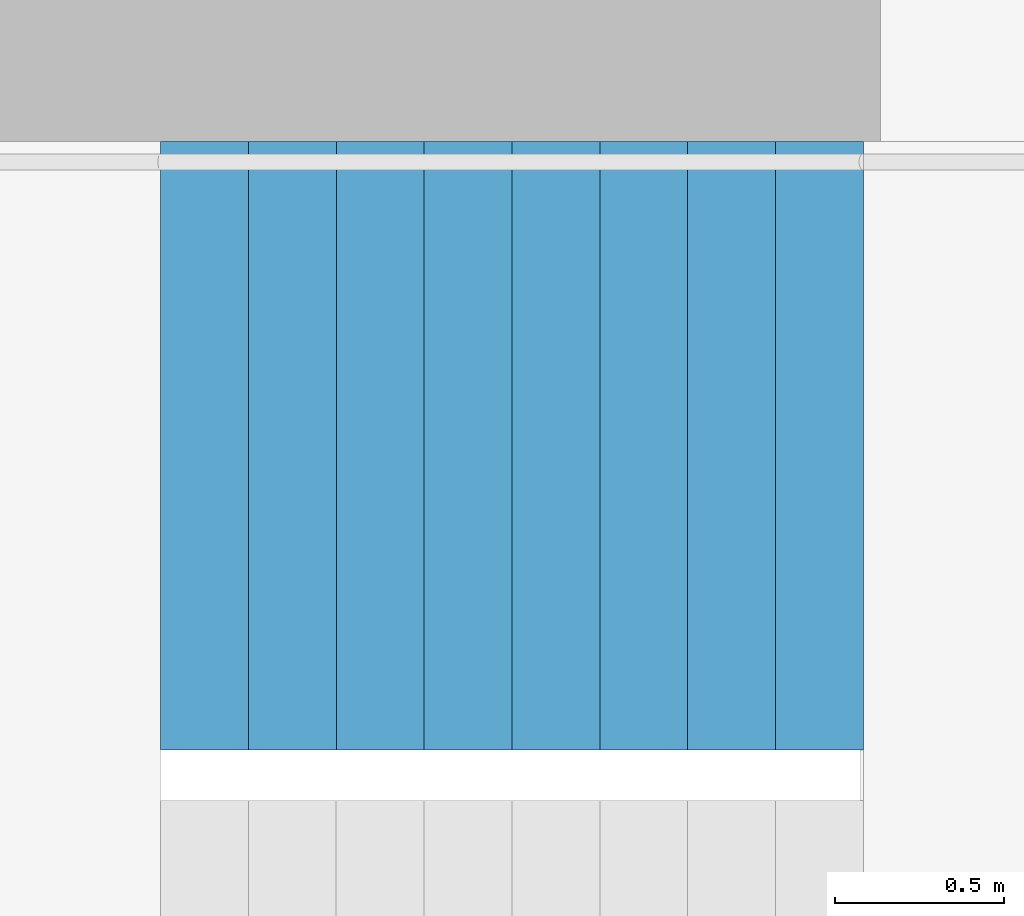
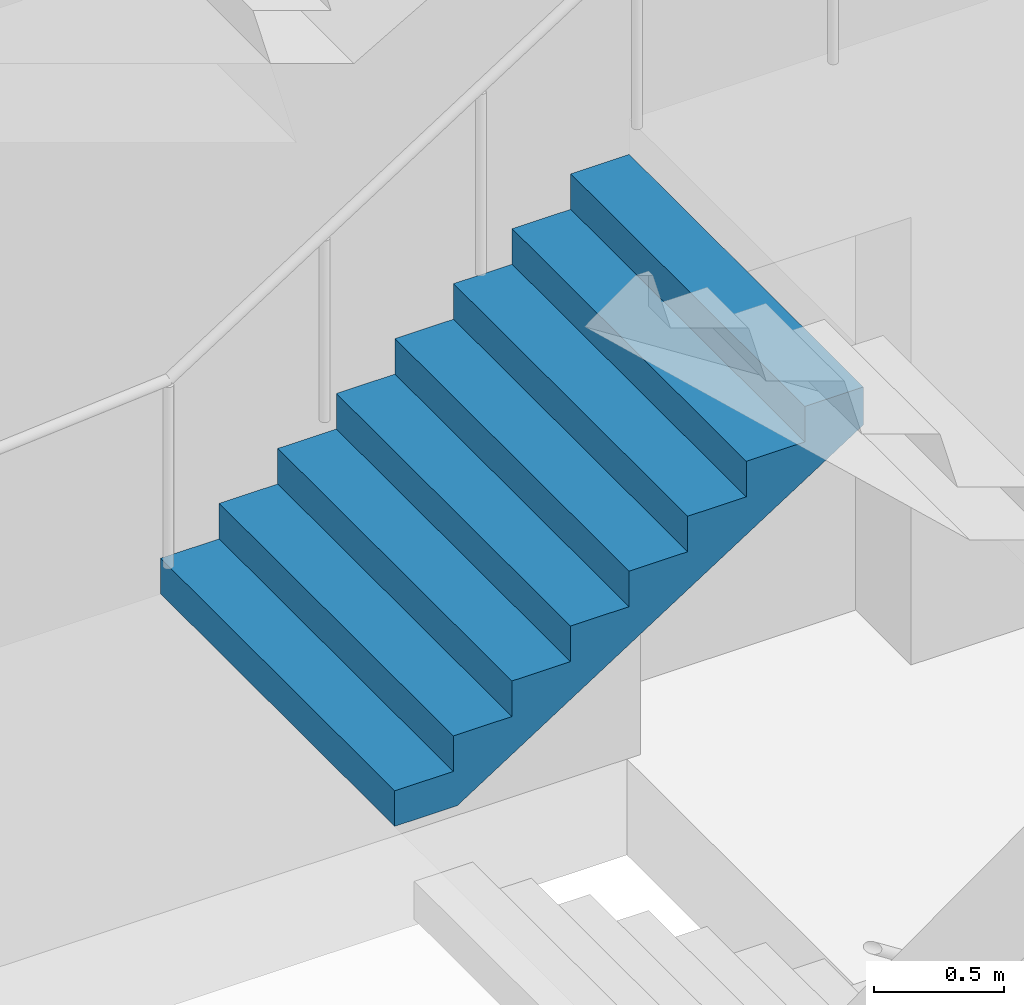
# One storey, part 32 of 35: 1 stair flight, 1 element without a shape of its own.
"""IFC4 building model written with IfcOpenShell, lengths in metres."""

from ifc_helpers import new_model, si_unit, direction, frame, origin, place, context, subcontext, project, spatial, triangles, material, type_object, element, aggregate, save


model = new_model("IFC4")

# Units and contexts
model_context = context("Model", 3, precision=1e-05, world=origin(), true_north=direction((0.0, 1.0)))
body_context = subcontext(model_context, "Body", "Model", "MODEL_VIEW")
ifc_project = project(units=[si_unit("LENGTHUNIT", "METRE"), si_unit("AREAUNIT", "SQUARE_METRE"), si_unit("VOLUMEUNIT", "CUBIC_METRE"), si_unit("PLANEANGLEUNIT", "RADIAN"), si_unit("MASSUNIT", "GRAM", prefix="KILO")], contexts=[model_context])

# Site, building, storey
site_placement = place(None, origin())
site = spatial("IfcSite", under=ifc_project, at=site_placement, CompositionType="ELEMENT")
building_placement = place(site_placement, origin())
building = spatial("IfcBuilding", under=site, at=building_placement, Name="Hakoniwa Tower and Hamabe Station Hall", CompositionType="ELEMENT")
storey_placement = place(building_placement, frame((0.0, 0.0, 264.60009765625)))
storey = spatial("IfcBuildingStorey", under=building, at=storey_placement, Name="L75", CompositionType="ELEMENT", Elevation=264.60009765625)

# Stair, stair flight
ifc_material_1 = material(Name="Concrete C40", Category="concrete")
stair_type = type_object("IfcStairType", Name="ESCAPE STAIR 1800", PredefinedType="HALF_TURN_STAIR", material=ifc_material_1)
stair_placement = place(storey_placement, origin())
stair = element("IfcStair", 1, at=stair_placement, inside=storey, type_object=stair_type, Name="Escape stair ST-3 L75", PredefinedType="HALF_TURN_STAIR")
ifc_material_2 = material(Name="Concrete C40", Category="concrete")
stair_flight_type = type_object("IfcStairFlightType", Name="STAIR FLIGHT 1800", PredefinedType="STRAIGHT", material=ifc_material_2)
stair_flight_placement = place(storey_placement, frame((22.320068359375, 6.60009765625, 1.5), z_axis=(0.0, 0.0, 1.0), x_axis=(1.0, 0.0, 0.0)))
stair_flight = element("IfcStairFlight", 2, at=stair_flight_placement, type_object=stair_flight_type, Name="ST-3 flight 2", NumberOfRisers=9, NumberOfTreads=8, PredefinedType="STRAIGHT", RiserHeight=0.166666667, TreadLength=0.26, context=body_context, shape_type="Tessellation", body=[
    triangles([(0.0, 0.89990234375, 0.0), (0.260009765625, 0.89990234375, 0.0), (0.27783203125, 0.89990234375, 0.0), (0.52001953125, 0.89990234375, 0.1552734375), (0.780029296875, 0.89990234375, 0.322021484375), (1.0400390625, 0.89990234375, 0.488525390625), (1.300048828125, 0.89990234375, 0.6552734375), (1.56005859375, 0.89990234375, 0.822021484375), (1.820068359375, 0.89990234375, 0.988525390625), (2.080078125, 0.89990234375, 1.1552734375), (2.080078125, 0.89990234375, 1.333251953125), (1.820068359375, 0.89990234375, 1.333251953125), (1.820068359375, 0.89990234375, 1.166748046875), (1.56005859375, 0.89990234375, 1.166748046875), (1.56005859375, 0.89990234375, 1.0), (1.300048828125, 0.89990234375, 1.0), (1.300048828125, 0.89990234375, 0.833251953125), (1.0400390625, 0.89990234375, 0.833251953125), (1.0400390625, 0.89990234375, 0.666748046875), (0.780029296875, 0.89990234375, 0.666748046875), (0.780029296875, 0.89990234375, 0.5), (0.52001953125, 0.89990234375, 0.5), (0.52001953125, 0.89990234375, 0.333251953125), (0.27783203125, 0.89990234375, 0.333251953125), (0.260009765625, 0.89990234375, 0.333251953125), (0.260009765625, 0.89990234375, 0.166748046875), (0.0, 0.89990234375, 0.166748046875), (0.0, 0.06005859375, 0.0), (0.260009765625, 0.06005859375, 0.0), (0.27783203125, 0.06005859375, 0.0), (0.52001953125, 0.06005859375, 0.1552734375), (0.780029296875, 0.06005859375, 0.322021484375), (1.0400390625, 0.06005859375, 0.488525390625), (1.300048828125, 0.06005859375, 0.6552734375), (1.56005859375, 0.06005859375, 0.822021484375), (1.820068359375, 0.06005859375, 0.988525390625), (2.080078125, 0.06005859375, 1.1552734375), (2.080078125, 0.06005859375, 1.333251953125), (1.820068359375, 0.06005859375, 1.333251953125), (1.820068359375, 0.06005859375, 1.166748046875), (1.56005859375, 0.06005859375, 1.166748046875), (1.56005859375, 0.06005859375, 1.0), (1.300048828125, 0.06005859375, 1.0), (1.300048828125, 0.06005859375, 0.833251953125), (1.0400390625, 0.06005859375, 0.833251953125), (1.0400390625, 0.06005859375, 0.666748046875), (0.780029296875, 0.06005859375, 0.666748046875), (0.780029296875, 0.06005859375, 0.5), (0.52001953125, 0.06005859375, 0.5), (0.52001953125, 0.06005859375, 0.333251953125), (0.27783203125, 0.06005859375, 0.333251953125), (0.260009765625, 0.06005859375, 0.333251953125), (0.260009765625, 0.06005859375, 0.166748046875), (0.0, 0.06005859375, 0.166748046875), (0.0, 0.04296875, 0.0), (0.260009765625, 0.04296875, 0.0), (0.27783203125, 0.04296875, 0.0), (0.52001953125, 0.04296875, 0.1552734375), (0.780029296875, 0.04296875, 0.322021484375), (1.0400390625, 0.04296875, 0.488525390625), (1.300048828125, 0.04296875, 0.6552734375), (1.56005859375, 0.04296875, 0.822021484375), (1.820068359375, 0.04296875, 0.988525390625), (2.080078125, 0.04296875, 1.1552734375), (2.080078125, 0.04296875, 1.333251953125), (1.820068359375, 0.04296875, 1.333251953125), (1.820068359375, 0.04296875, 1.166748046875), (1.56005859375, 0.04296875, 1.166748046875), (1.56005859375, 0.04296875, 1.0), (1.300048828125, 0.04296875, 1.0), (1.300048828125, 0.04296875, 0.833251953125), (1.0400390625, 0.04296875, 0.833251953125), (1.0400390625, 0.04296875, 0.666748046875), (0.780029296875, 0.04296875, 0.666748046875), (0.780029296875, 0.04296875, 0.5), (0.52001953125, 0.04296875, 0.5), (0.52001953125, 0.04296875, 0.333251953125), (0.27783203125, 0.04296875, 0.333251953125), (0.260009765625, 0.04296875, 0.333251953125), (0.260009765625, 0.04296875, 0.166748046875), (0.0, 0.04296875, 0.166748046875), (0.0, 0.025634765625, 0.0), (0.260009765625, 0.025634765625, 0.0), (0.27783203125, 0.025634765625, 0.0), (0.52001953125, 0.025634765625, 0.1552734375), (0.780029296875, 0.025634765625, 0.322021484375), (1.0400390625, 0.025634765625, 0.488525390625), (1.300048828125, 0.025634765625, 0.6552734375), (1.56005859375, 0.025634765625, 0.822021484375), (1.820068359375, 0.025634765625, 0.988525390625), (2.080078125, 0.025634765625, 1.1552734375), (2.080078125, 0.025634765625, 1.333251953125), (1.820068359375, 0.025634765625, 1.333251953125), (1.820068359375, 0.025634765625, 1.166748046875), (1.56005859375, 0.025634765625, 1.166748046875), (1.56005859375, 0.025634765625, 1.0), (1.300048828125, 0.025634765625, 1.0), (1.300048828125, 0.025634765625, 0.833251953125), (1.0400390625, 0.025634765625, 0.833251953125), (1.0400390625, 0.025634765625, 0.666748046875), (0.780029296875, 0.025634765625, 0.666748046875), (0.780029296875, 0.025634765625, 0.5), (0.52001953125, 0.025634765625, 0.5), (0.52001953125, 0.025634765625, 0.333251953125), (0.27783203125, 0.025634765625, 0.333251953125), (0.260009765625, 0.025634765625, 0.333251953125), (0.260009765625, 0.025634765625, 0.166748046875), (0.0, 0.025634765625, 0.166748046875), (0.0, 0.008544921875, 0.0), (0.260009765625, 0.008544921875, 0.0), (0.27783203125, 0.008544921875, 0.0), (0.52001953125, 0.008544921875, 0.1552734375), (0.780029296875, 0.008544921875, 0.322021484375), (1.0400390625, 0.008544921875, 0.488525390625), (1.300048828125, 0.008544921875, 0.6552734375), (1.56005859375, 0.008544921875, 0.822021484375), (1.820068359375, 0.008544921875, 0.988525390625), (2.080078125, 0.008544921875, 1.1552734375), (2.080078125, 0.008544921875, 1.333251953125), (1.820068359375, 0.008544921875, 1.333251953125), (1.820068359375, 0.008544921875, 1.166748046875), (1.56005859375, 0.008544921875, 1.166748046875), (1.56005859375, 0.008544921875, 1.0), (1.300048828125, 0.008544921875, 1.0), (1.300048828125, 0.008544921875, 0.833251953125), (1.0400390625, 0.008544921875, 0.833251953125), (1.0400390625, 0.008544921875, 0.666748046875), (0.780029296875, 0.008544921875, 0.666748046875), (0.780029296875, 0.008544921875, 0.5), (0.52001953125, 0.008544921875, 0.5), (0.52001953125, 0.008544921875, 0.333251953125), (0.27783203125, 0.008544921875, 0.333251953125), (0.260009765625, 0.008544921875, 0.333251953125), (0.260009765625, 0.008544921875, 0.166748046875), (0.0, 0.008544921875, 0.166748046875), (0.0, -0.008544921875, 0.0), (0.260009765625, -0.008544921875, 0.0), (0.27783203125, -0.008544921875, 0.0), (0.52001953125, -0.008544921875, 0.1552734375), (0.780029296875, -0.008544921875, 0.322021484375), (1.0400390625, -0.008544921875, 0.488525390625), (1.300048828125, -0.008544921875, 0.6552734375), (1.56005859375, -0.008544921875, 0.822021484375), (1.820068359375, -0.008544921875, 0.988525390625), (2.080078125, -0.008544921875, 1.1552734375), (2.080078125, -0.008544921875, 1.333251953125), (1.820068359375, -0.008544921875, 1.333251953125), (1.820068359375, -0.008544921875, 1.166748046875), (1.56005859375, -0.008544921875, 1.166748046875), (1.56005859375, -0.008544921875, 1.0), (1.300048828125, -0.008544921875, 1.0), (1.300048828125, -0.008544921875, 0.833251953125), (1.0400390625, -0.008544921875, 0.833251953125), (1.0400390625, -0.008544921875, 0.666748046875), (0.780029296875, -0.008544921875, 0.666748046875), (0.780029296875, -0.008544921875, 0.5), (0.52001953125, -0.008544921875, 0.5), (0.52001953125, -0.008544921875, 0.333251953125), (0.27783203125, -0.008544921875, 0.333251953125), (0.260009765625, -0.008544921875, 0.333251953125), (0.260009765625, -0.008544921875, 0.166748046875), (0.0, -0.008544921875, 0.166748046875), (0.0, -0.025634765625, 0.0), (0.260009765625, -0.025634765625, 0.0), (0.27783203125, -0.025634765625, 0.0), (0.52001953125, -0.025634765625, 0.1552734375), (0.780029296875, -0.025634765625, 0.322021484375), (1.0400390625, -0.025634765625, 0.488525390625), (1.300048828125, -0.025634765625, 0.6552734375), (1.56005859375, -0.025634765625, 0.822021484375), (1.820068359375, -0.025634765625, 0.988525390625), (2.080078125, -0.025634765625, 1.1552734375), (2.080078125, -0.025634765625, 1.333251953125), (1.820068359375, -0.025634765625, 1.333251953125), (1.820068359375, -0.025634765625, 1.166748046875), (1.56005859375, -0.025634765625, 1.166748046875), (1.56005859375, -0.025634765625, 1.0), (1.300048828125, -0.025634765625, 1.0), (1.300048828125, -0.025634765625, 0.833251953125), (1.0400390625, -0.025634765625, 0.833251953125), (1.0400390625, -0.025634765625, 0.666748046875), (0.780029296875, -0.025634765625, 0.666748046875), (0.780029296875, -0.025634765625, 0.5), (0.52001953125, -0.025634765625, 0.5), (0.52001953125, -0.025634765625, 0.333251953125), (0.27783203125, -0.025634765625, 0.333251953125), (0.260009765625, -0.025634765625, 0.333251953125), (0.260009765625, -0.025634765625, 0.166748046875), (0.0, -0.025634765625, 0.166748046875), (0.0, -0.04296875, 0.0), (0.260009765625, -0.04296875, 0.0), (0.27783203125, -0.04296875, 0.0), (0.52001953125, -0.04296875, 0.1552734375), (0.780029296875, -0.04296875, 0.322021484375), (1.0400390625, -0.04296875, 0.488525390625), (1.300048828125, -0.04296875, 0.6552734375), (1.56005859375, -0.04296875, 0.822021484375), (1.820068359375, -0.04296875, 0.988525390625), (2.080078125, -0.04296875, 1.1552734375), (2.080078125, -0.04296875, 1.333251953125), (1.820068359375, -0.04296875, 1.333251953125), (1.820068359375, -0.04296875, 1.166748046875), (1.56005859375, -0.04296875, 1.166748046875), (1.56005859375, -0.04296875, 1.0), (1.300048828125, -0.04296875, 1.0), (1.300048828125, -0.04296875, 0.833251953125), (1.0400390625, -0.04296875, 0.833251953125), (1.0400390625, -0.04296875, 0.666748046875), (0.780029296875, -0.04296875, 0.666748046875), (0.780029296875, -0.04296875, 0.5), (0.52001953125, -0.04296875, 0.5), (0.52001953125, -0.04296875, 0.333251953125), (0.27783203125, -0.04296875, 0.333251953125), (0.260009765625, -0.04296875, 0.333251953125), (0.260009765625, -0.04296875, 0.166748046875), (0.0, -0.04296875, 0.166748046875), (0.0, -0.06005859375, 0.0), (0.260009765625, -0.06005859375, 0.0), (0.27783203125, -0.06005859375, 0.0), (0.52001953125, -0.06005859375, 0.1552734375), (0.780029296875, -0.06005859375, 0.322021484375), (1.0400390625, -0.06005859375, 0.488525390625), (1.300048828125, -0.06005859375, 0.6552734375), (1.56005859375, -0.06005859375, 0.822021484375), (1.820068359375, -0.06005859375, 0.988525390625), (2.080078125, -0.06005859375, 1.1552734375), (2.080078125, -0.06005859375, 1.333251953125), (1.820068359375, -0.06005859375, 1.333251953125), (1.820068359375, -0.06005859375, 1.166748046875), (1.56005859375, -0.06005859375, 1.166748046875), (1.56005859375, -0.06005859375, 1.0), (1.300048828125, -0.06005859375, 1.0), (1.300048828125, -0.06005859375, 0.833251953125), (1.0400390625, -0.06005859375, 0.833251953125), (1.0400390625, -0.06005859375, 0.666748046875), (0.780029296875, -0.06005859375, 0.666748046875), (0.780029296875, -0.06005859375, 0.5), (0.52001953125, -0.06005859375, 0.5), (0.52001953125, -0.06005859375, 0.333251953125), (0.27783203125, -0.06005859375, 0.333251953125), (0.260009765625, -0.06005859375, 0.333251953125), (0.260009765625, -0.06005859375, 0.166748046875), (0.0, -0.06005859375, 0.166748046875), (0.0, -0.89990234375, 0.0), (0.260009765625, -0.89990234375, 0.0), (0.27783203125, -0.89990234375, 0.0), (0.52001953125, -0.89990234375, 0.1552734375), (0.780029296875, -0.89990234375, 0.322021484375), (1.0400390625, -0.89990234375, 0.488525390625), (1.300048828125, -0.89990234375, 0.6552734375), (1.56005859375, -0.89990234375, 0.822021484375), (1.820068359375, -0.89990234375, 0.988525390625), (2.080078125, -0.89990234375, 1.1552734375), (2.080078125, -0.89990234375, 1.333251953125), (1.820068359375, -0.89990234375, 1.333251953125), (1.820068359375, -0.89990234375, 1.166748046875), (1.56005859375, -0.89990234375, 1.166748046875), (1.56005859375, -0.89990234375, 1.0), (1.300048828125, -0.89990234375, 1.0), (1.300048828125, -0.89990234375, 0.833251953125), (1.0400390625, -0.89990234375, 0.833251953125), (1.0400390625, -0.89990234375, 0.666748046875), (0.780029296875, -0.89990234375, 0.666748046875), (0.780029296875, -0.89990234375, 0.5), (0.52001953125, -0.89990234375, 0.5), (0.52001953125, -0.89990234375, 0.333251953125), (0.27783203125, -0.89990234375, 0.333251953125), (0.260009765625, -0.89990234375, 0.333251953125), (0.260009765625, -0.89990234375, 0.166748046875), (0.0, -0.89990234375, 0.166748046875)], [[2, 27, 26], [245, 269, 270], [2, 1, 27], [245, 270, 244], [3, 25, 24], [246, 267, 268], [3, 26, 25], [246, 268, 269], [3, 2, 26], [246, 269, 245], [4, 24, 23], [247, 266, 267], [4, 3, 24], [247, 267, 246], [5, 22, 21], [248, 264, 265], [5, 23, 22], [248, 265, 266], [5, 4, 23], [248, 266, 247], [6, 20, 19], [249, 262, 263], [6, 21, 20], [249, 263, 264], [6, 5, 21], [249, 264, 248], [7, 18, 17], [250, 260, 261], [7, 19, 18], [250, 261, 262], [7, 6, 19], [250, 262, 249], [8, 16, 15], [251, 258, 259], [8, 17, 16], [251, 259, 260], [8, 7, 17], [251, 260, 250], [9, 14, 13], [252, 256, 257], [9, 15, 14], [252, 257, 258], [9, 8, 15], [252, 258, 251], [10, 12, 11], [253, 254, 255], [10, 13, 12], [253, 255, 256], [10, 9, 13], [253, 256, 252], [1, 2, 29], [1, 29, 28], [28, 29, 56], [28, 56, 55], [55, 56, 83], [55, 83, 82], [82, 83, 110], [82, 110, 109], [109, 110, 137], [109, 137, 136], [136, 137, 164], [136, 164, 163], [163, 164, 191], [163, 191, 190], [190, 191, 218], [190, 218, 217], [217, 218, 245], [217, 245, 244], [2, 3, 30], [2, 30, 29], [29, 30, 57], [29, 57, 56], [56, 57, 84], [56, 84, 83], [83, 84, 111], [83, 111, 110], [110, 111, 138], [110, 138, 137], [137, 138, 165], [137, 165, 164], [164, 165, 192], [164, 192, 191], [191, 192, 219], [191, 219, 218], [218, 219, 246], [218, 246, 245], [3, 4, 31], [3, 31, 30], [30, 31, 58], [30, 58, 57], [57, 58, 85], [57, 85, 84], [84, 85, 112], [84, 112, 111], [111, 112, 139], [111, 139, 138], [138, 139, 166], [138, 166, 165], [165, 166, 193], [165, 193, 192], [192, 193, 220], [192, 220, 219], [219, 220, 247], [219, 247, 246], [4, 5, 32], [4, 32, 31], [31, 32, 59], [31, 59, 58], [58, 59, 86], [58, 86, 85], [85, 86, 113], [85, 113, 112], [112, 113, 140], [112, 140, 139], [139, 140, 167], [139, 167, 166], [166, 167, 194], [166, 194, 193], [193, 194, 221], [193, 221, 220], [220, 221, 248], [220, 248, 247], [5, 6, 33], [5, 33, 32], [32, 33, 60], [32, 60, 59], [59, 60, 87], [59, 87, 86], [86, 87, 114], [86, 114, 113], [113, 114, 141], [113, 141, 140], [140, 141, 168], [140, 168, 167], [167, 168, 195], [167, 195, 194], [194, 195, 222], [194, 222, 221], [221, 222, 249], [221, 249, 248], [6, 7, 34], [6, 34, 33], [33, 34, 61], [33, 61, 60], [60, 61, 88], [60, 88, 87], [87, 88, 115], [87, 115, 114], [114, 115, 142], [114, 142, 141], [141, 142, 169], [141, 169, 168], [168, 169, 196], [168, 196, 195], [195, 196, 223], [195, 223, 222], [222, 223, 250], [222, 250, 249], [7, 8, 35], [7, 35, 34], [34, 35, 62], [34, 62, 61], [61, 62, 89], [61, 89, 88], [88, 89, 116], [88, 116, 115], [115, 116, 143], [115, 143, 142], [142, 143, 170], [142, 170, 169], [169, 170, 197], [169, 197, 196], [196, 197, 224], [196, 224, 223], [223, 224, 251], [223, 251, 250], [8, 9, 36], [8, 36, 35], [35, 36, 63], [35, 63, 62], [62, 63, 90], [62, 90, 89], [89, 90, 117], [89, 117, 116], [116, 117, 144], [116, 144, 143], [143, 144, 171], [143, 171, 170], [170, 171, 198], [170, 198, 197], [197, 198, 225], [197, 225, 224], [224, 225, 252], [224, 252, 251], [9, 10, 37], [9, 37, 36], [36, 37, 64], [36, 64, 63], [63, 64, 91], [63, 91, 90], [90, 91, 118], [90, 118, 117], [117, 118, 145], [117, 145, 144], [144, 145, 172], [144, 172, 171], [171, 172, 199], [171, 199, 198], [198, 199, 226], [198, 226, 225], [225, 226, 253], [225, 253, 252], [10, 11, 38], [10, 38, 37], [37, 38, 65], [37, 65, 64], [64, 65, 92], [64, 92, 91], [91, 92, 119], [91, 119, 118], [118, 119, 146], [118, 146, 145], [145, 146, 173], [145, 173, 172], [172, 173, 200], [172, 200, 199], [199, 200, 227], [199, 227, 226], [226, 227, 254], [226, 254, 253], [11, 12, 39], [11, 39, 38], [38, 39, 66], [38, 66, 65], [65, 66, 93], [65, 93, 92], [92, 93, 120], [92, 120, 119], [119, 120, 147], [119, 147, 146], [146, 147, 174], [146, 174, 173], [173, 174, 201], [173, 201, 200], [200, 201, 228], [200, 228, 227], [227, 228, 255], [227, 255, 254], [12, 13, 40], [12, 40, 39], [39, 40, 67], [39, 67, 66], [66, 67, 94], [66, 94, 93], [93, 94, 121], [93, 121, 120], [120, 121, 148], [120, 148, 147], [147, 148, 175], [147, 175, 174], [174, 175, 202], [174, 202, 201], [201, 202, 229], [201, 229, 228], [228, 229, 256], [228, 256, 255], [13, 14, 41], [13, 41, 40], [40, 41, 68], [40, 68, 67], [67, 68, 95], [67, 95, 94], [94, 95, 122], [94, 122, 121], [121, 122, 149], [121, 149, 148], [148, 149, 176], [148, 176, 175], [175, 176, 203], [175, 203, 202], [202, 203, 230], [202, 230, 229], [229, 230, 257], [229, 257, 256], [14, 15, 42], [14, 42, 41], [41, 42, 69], [41, 69, 68], [68, 69, 96], [68, 96, 95], [95, 96, 123], [95, 123, 122], [122, 123, 150], [122, 150, 149], [149, 150, 177], [149, 177, 176], [176, 177, 204], [176, 204, 203], [203, 204, 231], [203, 231, 230], [230, 231, 258], [230, 258, 257], [15, 16, 43], [15, 43, 42], [42, 43, 70], [42, 70, 69], [69, 70, 97], [69, 97, 96], [96, 97, 124], [96, 124, 123], [123, 124, 151], [123, 151, 150], [150, 151, 178], [150, 178, 177], [177, 178, 205], [177, 205, 204], [204, 205, 232], [204, 232, 231], [231, 232, 259], [231, 259, 258], [16, 17, 44], [16, 44, 43], [43, 44, 71], [43, 71, 70], [70, 71, 98], [70, 98, 97], [97, 98, 125], [97, 125, 124], [124, 125, 152], [124, 152, 151], [151, 152, 179], [151, 179, 178], [178, 179, 206], [178, 206, 205], [205, 206, 233], [205, 233, 232], [232, 233, 260], [232, 260, 259], [17, 18, 45], [17, 45, 44], [44, 45, 72], [44, 72, 71], [71, 72, 99], [71, 99, 98], [98, 99, 126], [98, 126, 125], [125, 126, 153], [125, 153, 152], [152, 153, 180], [152, 180, 179], [179, 180, 207], [179, 207, 206], [206, 207, 234], [206, 234, 233], [233, 234, 261], [233, 261, 260], [18, 19, 46], [18, 46, 45], [45, 46, 73], [45, 73, 72], [72, 73, 100], [72, 100, 99], [99, 100, 127], [99, 127, 126], [126, 127, 154], [126, 154, 153], [153, 154, 181], [153, 181, 180], [180, 181, 208], [180, 208, 207], [207, 208, 235], [207, 235, 234], [234, 235, 262], [234, 262, 261], [19, 20, 47], [19, 47, 46], [46, 47, 74], [46, 74, 73], [73, 74, 101], [73, 101, 100], [100, 101, 128], [100, 128, 127], [127, 128, 155], [127, 155, 154], [154, 155, 182], [154, 182, 181], [181, 182, 209], [181, 209, 208], [208, 209, 236], [208, 236, 235], [235, 236, 263], [235, 263, 262], [20, 21, 48], [20, 48, 47], [47, 48, 75], [47, 75, 74], [74, 75, 102], [74, 102, 101], [101, 102, 129], [101, 129, 128], [128, 129, 156], [128, 156, 155], [155, 156, 183], [155, 183, 182], [182, 183, 210], [182, 210, 209], [209, 210, 237], [209, 237, 236], [236, 237, 264], [236, 264, 263], [21, 22, 49], [21, 49, 48], [48, 49, 76], [48, 76, 75], [75, 76, 103], [75, 103, 102], [102, 103, 130], [102, 130, 129], [129, 130, 157], [129, 157, 156], [156, 157, 184], [156, 184, 183], [183, 184, 211], [183, 211, 210], [210, 211, 238], [210, 238, 237], [237, 238, 265], [237, 265, 264], [22, 23, 50], [22, 50, 49], [49, 50, 77], [49, 77, 76], [76, 77, 104], [76, 104, 103], [103, 104, 131], [103, 131, 130], [130, 131, 158], [130, 158, 157], [157, 158, 185], [157, 185, 184], [184, 185, 212], [184, 212, 211], [211, 212, 239], [211, 239, 238], [238, 239, 266], [238, 266, 265], [23, 24, 51], [23, 51, 50], [50, 51, 78], [50, 78, 77], [77, 78, 105], [77, 105, 104], [104, 105, 132], [104, 132, 131], [131, 132, 159], [131, 159, 158], [158, 159, 186], [158, 186, 185], [185, 186, 213], [185, 213, 212], [212, 213, 240], [212, 240, 239], [239, 240, 267], [239, 267, 266], [24, 25, 52], [24, 52, 51], [51, 52, 79], [51, 79, 78], [78, 79, 106], [78, 106, 105], [105, 106, 133], [105, 133, 132], [132, 133, 160], [132, 160, 159], [159, 160, 187], [159, 187, 186], [186, 187, 214], [186, 214, 213], [213, 214, 241], [213, 241, 240], [240, 241, 268], [240, 268, 267], [25, 26, 53], [25, 53, 52], [52, 53, 80], [52, 80, 79], [79, 80, 107], [79, 107, 106], [106, 107, 134], [106, 134, 133], [133, 134, 161], [133, 161, 160], [160, 161, 188], [160, 188, 187], [187, 188, 215], [187, 215, 214], [214, 215, 242], [214, 242, 241], [241, 242, 269], [241, 269, 268], [26, 27, 54], [26, 54, 53], [53, 54, 81], [53, 81, 80], [80, 81, 108], [80, 108, 107], [107, 108, 135], [107, 135, 134], [134, 135, 162], [134, 162, 161], [161, 162, 189], [161, 189, 188], [188, 189, 216], [188, 216, 215], [215, 216, 243], [215, 243, 242], [242, 243, 270], [242, 270, 269], [27, 1, 28], [27, 28, 54], [54, 28, 55], [54, 55, 81], [81, 55, 82], [81, 82, 108], [108, 82, 109], [108, 109, 135], [135, 109, 136], [135, 136, 162], [162, 136, 163], [162, 163, 189], [189, 163, 190], [189, 190, 216], [216, 190, 217], [216, 217, 243], [243, 217, 244], [243, 244, 270]], closed=True),
])
aggregate(stair, [stair_flight])

save(model, "model.ifc")
